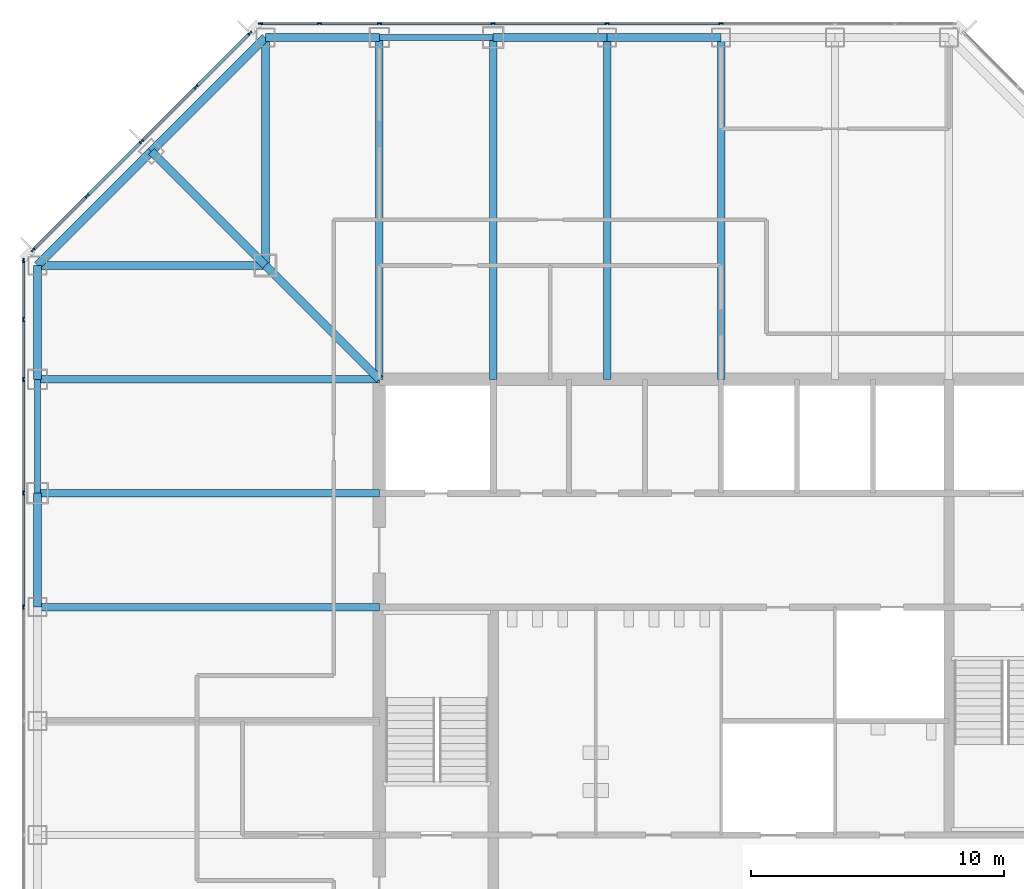
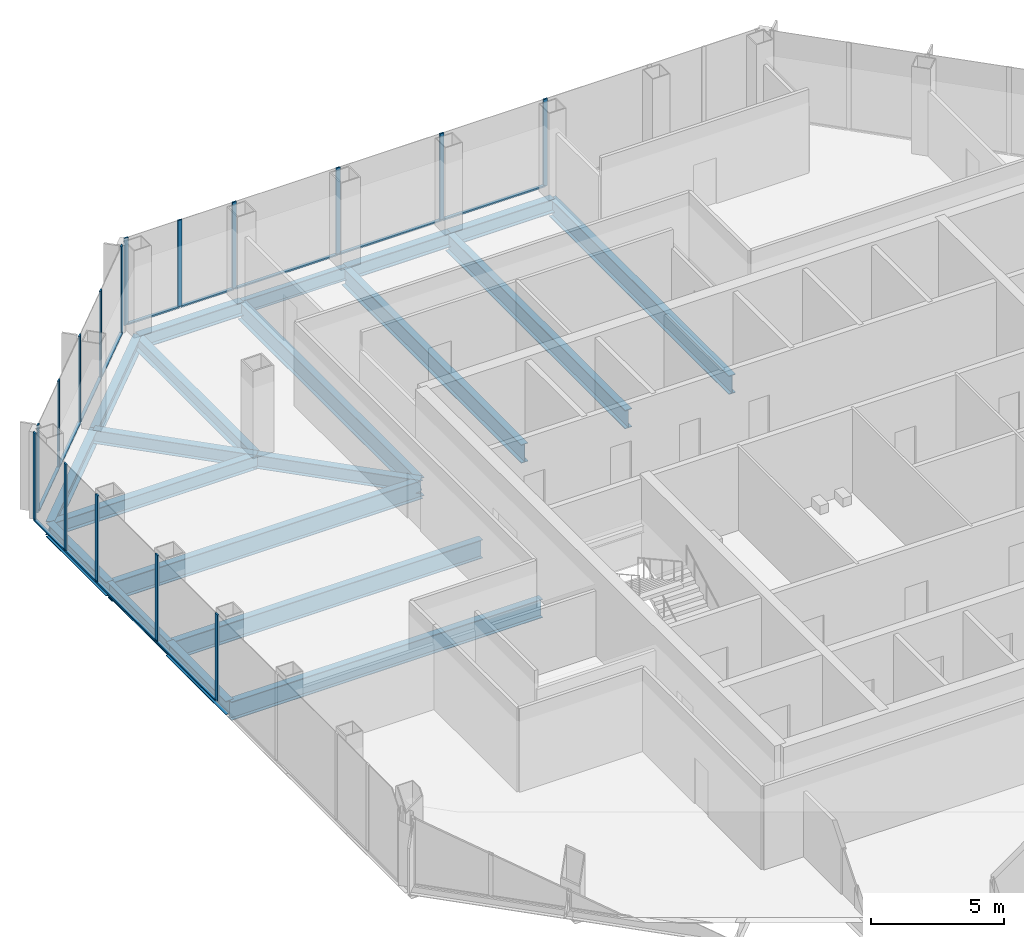
# One storey, part 5 of 12: 29 members, 20 beams, 3 elements without a shape of their own.
"""IFC4 building model written with IfcOpenShell, lengths in metres."""

from ifc_helpers import new_model, si_unit, direction, frame, origin, origin_2d, place, context, subcontext, project, spatial, rectangle, i_section, extrude, material, material_profile, profile_set, type_object, element, aggregate, save


model = new_model("IFC4")

# Units and contexts
model_context = context("Model", 3, precision=1e-05, world=origin(), true_north=direction((0.0, 1.0)))
body_context = subcontext(model_context, "Body", "Model", "MODEL_VIEW")
ifc_project = project(units=[si_unit("LENGTHUNIT", "METRE"), si_unit("AREAUNIT", "SQUARE_METRE"), si_unit("VOLUMEUNIT", "CUBIC_METRE"), si_unit("PLANEANGLEUNIT", "RADIAN"), si_unit("MASSUNIT", "GRAM", prefix="KILO")], contexts=[model_context])

# Site, building, storey
site_placement = place(None, origin())
site = spatial("IfcSite", under=ifc_project, at=site_placement, CompositionType="ELEMENT")
building_placement = place(site_placement, origin())
building = spatial("IfcBuilding", under=site, at=building_placement, Name="Corais Broadcast Tower", CompositionType="ELEMENT")
storey_placement = place(building_placement, frame((0.0, 0.0, 143.60009765625)))
storey = spatial("IfcBuildingStorey", under=building, at=storey_placement, Name="L32", CompositionType="ELEMENT", Elevation=143.60009765625)

# Beams
ifc_material_1 = material(Name="Steel ASTM A572 Grade 50", Category="steel")
ifc_material_profile_1 = material_profile(ifc_material_1, i_section(OverallWidth=0.323974609375, OverallDepth=0.611083984375, WebThickness=0.0126953125, FlangeThickness=0.01904296875, at=origin_2d()), Name="W610x155")
ifc_profile_set_1 = profile_set([ifc_material_profile_1], Name="Steel ASTM A572 Grade 50")
beam_type_1 = type_object("IfcBeamType", Name="Chamfer tie W610x155", PredefinedType="BEAM", material=ifc_profile_set_1)
beam_1_placement = place(storey_placement, frame((4.5, 49.5, -0.465576171875), z_axis=(0.707106781187, -0.707106781187, 0.0), x_axis=(0.707106781187, 0.707106781187, 0.0)))
element("IfcBeam", 1, at=beam_1_placement, inside=storey, type_object=beam_type_1, Name="B5 M/4 to L/5", PredefinedType="BEAM", context=body_context, shape_type="SweptSolid", body=[
    extrude(i_section(OverallWidth=0.323974609375, OverallDepth=0.611083984375, WebThickness=0.0126953125, FlangeThickness=0.01904296875, at=origin_2d()), origin(), (0.0, 0.0, 1.0), 6.364013671875),
])
ifc_material_2 = material(Name="Steel ASTM A572 Grade 50", Category="steel")
ifc_material_profile_2 = material_profile(ifc_material_2, i_section(OverallWidth=0.323974609375, OverallDepth=0.611083984375, WebThickness=0.0126953125, FlangeThickness=0.01904296875, at=origin_2d()), Name="W610x155")
ifc_profile_set_2 = profile_set([ifc_material_profile_2], Name="Steel ASTM A572 Grade 50")
beam_type_2 = type_object("IfcBeamType", Name="Corner diagonal W610x155", PredefinedType="BEAM", material=ifc_profile_set_2)
beam_2_placement = place(storey_placement, frame((9.0, 45.0, -0.465576171875), z_axis=(0.707106781187, -0.707106781187, 0.0), x_axis=(0.707106781187, 0.707106781187, 0.0)))
element("IfcBeam", 2, at=beam_2_placement, inside=storey, type_object=beam_type_2, Name="B6 L/5 to K/6", PredefinedType="BEAM", context=body_context, shape_type="SweptSolid", body=[
    extrude(i_section(OverallWidth=0.323974609375, OverallDepth=0.611083984375, WebThickness=0.0126953125, FlangeThickness=0.01904296875, at=origin_2d()), origin(), (0.0, 0.0, 1.0), 6.364013671875),
])
ifc_material_3 = material(Name="Steel ASTM A572 Grade 50", Category="steel")
ifc_material_profile_3 = material_profile(ifc_material_3, i_section(OverallWidth=0.323974609375, OverallDepth=0.611083984375, WebThickness=0.0126953125, FlangeThickness=0.01904296875, at=origin_2d()), Name="W610x155")
ifc_profile_set_3 = profile_set([ifc_material_profile_3], Name="Steel ASTM A572 Grade 50")
beam_type_3 = type_object("IfcBeamType", Name="Corner girder W610x155", PredefinedType="BEAM", material=ifc_profile_set_3)
for number, where, z_axis, x_axis, name in (
    (3, (0.0, 45.0, -0.465576171875), (1.0, 0.0, 0.0), (0.0, 1.0, 0.0), "B4 L/3 to L/5"),
    (4, (9.0, 54.0, -0.465576171875), (0.0, -1.0, 0.0), (1.0, 0.0, 0.0), "B4 N/5 to L/5"),
):
    element("IfcBeam", number, at=place(storey_placement, frame(where, z_axis=z_axis, x_axis=x_axis)), inside=storey, type_object=beam_type_3, Name=name, PredefinedType="BEAM", context=body_context, shape_type="SweptSolid", body=[
        extrude(i_section(OverallWidth=0.323974609375, OverallDepth=0.611083984375, WebThickness=0.0126953125, FlangeThickness=0.01904296875, at=origin_2d()), origin(), (0.0, 0.0, 1.0), 9.0),
    ])
ifc_material_4 = material(Name="Steel ASTM A572 Grade 50", Category="steel")
ifc_material_profile_4 = material_profile(ifc_material_4, i_section(OverallWidth=0.2939453125, OverallDepth=0.85107421875, WebThickness=0.01611328125, FlangeThickness=0.02685546875, at=origin_2d()), Name="W840x226")
ifc_profile_set_4 = profile_set([ifc_material_profile_4], Name="Steel ASTM A572 Grade 50")
beam_type_4 = type_object("IfcBeamType", Name="Floor beam W840x226", PredefinedType="BEAM", material=ifc_profile_set_4)
for number, where, z_axis, x_axis, name in (
    (5, (0.0, 31.5, -0.585693359375), (1.0, 0.0, 0.0), (0.0, 1.0, 0.0), "B1 H/3 to H/6"),
    (6, (0.0, 36.0, -0.585693359375), (1.0, 0.0, 0.0), (0.0, 1.0, 0.0), "B1 J/3 to J/6"),
    (7, (0.0, 40.5, -0.585693359375), (1.0, 0.0, 0.0), (0.0, 1.0, 0.0), "B1 K/3 to K/6"),
    (8, (13.5, 54.0, -0.585693359375), (0.0, -1.0, 0.0), (1.0, 0.0, 0.0), "B1 N/6 to K/6"),
    (9, (18.0, 54.0, -0.585693359375), (0.0, -1.0, 0.0), (1.0, 0.0, 0.0), "B1 N/7 to K/7"),
    (10, (22.5, 54.0, -0.585693359375), (0.0, -1.0, 0.0), (1.0, 0.0, 0.0), "B1 N/8 to K/8"),
    (11, (27.0, 54.0, -0.585693359375), (0.0, -1.0, 0.0), (1.0, 0.0, 0.0), "B1 N/9 to K/9"),
):
    element("IfcBeam", number, at=place(storey_placement, frame(where, z_axis=z_axis, x_axis=x_axis)), inside=storey, type_object=beam_type_4, Name=name, PredefinedType="BEAM", context=body_context, shape_type="SweptSolid", body=[
        extrude(i_section(OverallWidth=0.2939453125, OverallDepth=0.85107421875, WebThickness=0.01611328125, FlangeThickness=0.02685546875, at=origin_2d()), origin(), (0.0, 0.0, 1.0), 13.5),
    ])

# Curtain wall, members
ifc_material_5 = material(Name="Aluminium and glass", Category="aluminium")
curtain_wall_type = type_object("IfcCurtainWallType", Name="Unitised fritted curtain wall CW2", PredefinedType="NOTDEFINED", material=ifc_material_5)
curtain_wall_1_placement = place(storey_placement, origin())
curtain_wall_1 = element("IfcCurtainWall", 12, at=curtain_wall_1_placement, inside=storey, type_object=curtain_wall_type, Name="CW2 curtain wall L32 2", PredefinedType="NOTDEFINED")
ifc_material_6 = material(Name="Aluminium 6063-T6", Category="aluminium")
ifc_material_profile_5 = material_profile(ifc_material_6, rectangle(XDim=0.06494140625, YDim=0.179931640625, at=origin_2d()), Name="Mullion CW2 65x180")
ifc_profile_set_5 = profile_set([ifc_material_profile_5], Name="Aluminium 6063-T6")
member_type_1 = type_object("IfcMemberType", Name="Mullion CW2 65x180", PredefinedType="MULLION", material=ifc_profile_set_5)
member_1_placement = place(storey_placement, frame((-0.550048828125, 31.5, 0.0), z_axis=(0.0, 0.0, 1.0), x_axis=(-1.0, 0.0, 0.0)))
member_1 = element("IfcMember", 13, at=member_1_placement, type_object=member_type_1, Name="CW2 mullion 5", PredefinedType="MULLION", context=body_context, shape_type="SweptSolid", body=[
    extrude(rectangle(XDim=0.06494140625, YDim=0.179931640625, at=origin_2d()), origin(), (0.0, 0.0, 1.0), 4.0),
])
member_2_placement = place(storey_placement, frame((-0.550048828125, 36.0, 0.0), z_axis=(0.0, 0.0, 1.0), x_axis=(-1.0, 0.0, 0.0)))
member_2 = element("IfcMember", 14, at=member_2_placement, type_object=member_type_1, Name="CW2 mullion 6", PredefinedType="MULLION", context=body_context, shape_type="SweptSolid", body=[
    extrude(rectangle(XDim=0.06494140625, YDim=0.179931640625, at=origin_2d()), origin(), (0.0, 0.0, 1.0), 4.0),
])
member_3_placement = place(storey_placement, frame((-0.550048828125, 40.5, 0.0), z_axis=(0.0, 0.0, 1.0), x_axis=(-1.0, 0.0, 0.0)))
member_3 = element("IfcMember", 15, at=member_3_placement, type_object=member_type_1, Name="CW2 mullion 7", PredefinedType="MULLION", context=body_context, shape_type="SweptSolid", body=[
    extrude(rectangle(XDim=0.06494140625, YDim=0.179931640625, at=origin_2d()), origin(), (0.0, 0.0, 1.0), 4.0),
])
member_4_placement = place(storey_placement, frame((-0.550048828125, 42.864013671875, 0.0), z_axis=(0.0, 0.0, 1.0), x_axis=(-1.0, 0.0, 0.0)))
member_4 = element("IfcMember", 16, at=member_4_placement, type_object=member_type_1, Name="CW2 mullion 8", PredefinedType="MULLION", context=body_context, shape_type="SweptSolid", body=[
    extrude(rectangle(XDim=0.06494140625, YDim=0.179931640625, at=origin_2d()), origin(), (0.0, 0.0, 1.0), 4.0),
])
member_5_placement = place(storey_placement, frame((-0.550048828125, 45.1953125, 0.0), z_axis=(0.0, 0.0, 1.0), x_axis=(-1.0, 0.0, 0.0)))
member_5 = element("IfcMember", 17, at=member_5_placement, type_object=member_type_1, Name="CW2 mullion 9", PredefinedType="MULLION", context=body_context, shape_type="SweptSolid", body=[
    extrude(rectangle(XDim=0.06494140625, YDim=0.179931640625, at=origin_2d()), origin(), (0.0, 0.0, 1.0), 4.0),
])

curtain_wall_2_placement = place(storey_placement, origin())
curtain_wall_2 = element("IfcCurtainWall", 18, at=curtain_wall_2_placement, inside=storey, type_object=curtain_wall_type, Name="CW2 curtain wall L32 3", PredefinedType="NOTDEFINED")
member_6_placement = place(storey_placement, frame((-0.17333984375, 45.6044921875, 0.0), z_axis=(0.0, 0.0, 1.0), x_axis=(-0.707106781187, 0.707106781187, 0.0)))
member_6 = element("IfcMember", 19, at=member_6_placement, type_object=member_type_1, Name="CW2 mullion 1", PredefinedType="MULLION", context=body_context, shape_type="SweptSolid", body=[
    extrude(rectangle(XDim=0.06494140625, YDim=0.179931640625, at=origin_2d()), origin(), (0.0, 0.0, 1.0), 4.0),
])
member_7_placement = place(storey_placement, frame((1.957275390625, 47.735107421875, 0.0), z_axis=(0.0, 0.0, 1.0), x_axis=(-0.707106781187, 0.707106781187, 0.0)))
member_7 = element("IfcMember", 20, at=member_7_placement, type_object=member_type_1, Name="CW2 mullion 2", PredefinedType="MULLION", context=body_context, shape_type="SweptSolid", body=[
    extrude(rectangle(XDim=0.06494140625, YDim=0.179931640625, at=origin_2d()), origin(), (0.0, 0.0, 1.0), 4.0),
])
member_8_placement = place(storey_placement, frame((4.111083984375, 49.888916015625, 0.0), z_axis=(0.0, 0.0, 1.0), x_axis=(-0.707106781187, 0.707106781187, 0.0)))
member_8 = element("IfcMember", 21, at=member_8_placement, type_object=member_type_1, Name="CW2 mullion 3", PredefinedType="MULLION", context=body_context, shape_type="SweptSolid", body=[
    extrude(rectangle(XDim=0.06494140625, YDim=0.179931640625, at=origin_2d()), origin(), (0.0, 0.0, 1.0), 4.0),
])
member_9_placement = place(storey_placement, frame((6.264892578125, 52.042724609375, 0.0), z_axis=(0.0, 0.0, 1.0), x_axis=(-0.707106781187, 0.707106781187, 0.0)))
member_9 = element("IfcMember", 22, at=member_9_placement, type_object=member_type_1, Name="CW2 mullion 4", PredefinedType="MULLION", context=body_context, shape_type="SweptSolid", body=[
    extrude(rectangle(XDim=0.06494140625, YDim=0.179931640625, at=origin_2d()), origin(), (0.0, 0.0, 1.0), 4.0),
])
member_10_placement = place(storey_placement, frame((8.3955078125, 54.17333984375, 0.0), z_axis=(0.0, 0.0, 1.0), x_axis=(-0.707106781187, 0.707106781187, 0.0)))
member_10 = element("IfcMember", 23, at=member_10_placement, type_object=member_type_1, Name="CW2 mullion 5", PredefinedType="MULLION", context=body_context, shape_type="SweptSolid", body=[
    extrude(rectangle(XDim=0.06494140625, YDim=0.179931640625, at=origin_2d()), origin(), (0.0, 0.0, 1.0), 4.0),
])

curtain_wall_3_placement = place(storey_placement, origin())
curtain_wall_3 = element("IfcCurtainWall", 24, at=curtain_wall_3_placement, inside=storey, type_object=curtain_wall_type, Name="CW2 curtain wall L32 4", PredefinedType="NOTDEFINED")
member_11_placement = place(storey_placement, frame((8.8046875, 54.550048828125, 0.0), z_axis=(0.0, 0.0, 1.0), x_axis=(0.0, 1.0, 0.0)))
member_11 = element("IfcMember", 25, at=member_11_placement, type_object=member_type_1, Name="CW2 mullion 1", PredefinedType="MULLION", context=body_context, shape_type="SweptSolid", body=[
    extrude(rectangle(XDim=0.06494140625, YDim=0.179931640625, at=origin_2d()), origin(), (0.0, 0.0, 1.0), 4.0),
])
member_12_placement = place(storey_placement, frame((11.135986328125, 54.550048828125, 0.0), z_axis=(0.0, 0.0, 1.0), x_axis=(0.0, 1.0, 0.0)))
member_12 = element("IfcMember", 26, at=member_12_placement, type_object=member_type_1, Name="CW2 mullion 2", PredefinedType="MULLION", context=body_context, shape_type="SweptSolid", body=[
    extrude(rectangle(XDim=0.06494140625, YDim=0.179931640625, at=origin_2d()), origin(), (0.0, 0.0, 1.0), 4.0),
])
member_13_placement = place(storey_placement, frame((13.5, 54.550048828125, 0.0), z_axis=(0.0, 0.0, 1.0), x_axis=(0.0, 1.0, 0.0)))
member_13 = element("IfcMember", 27, at=member_13_placement, type_object=member_type_1, Name="CW2 mullion 3", PredefinedType="MULLION", context=body_context, shape_type="SweptSolid", body=[
    extrude(rectangle(XDim=0.06494140625, YDim=0.179931640625, at=origin_2d()), origin(), (0.0, 0.0, 1.0), 4.0),
])
member_14_placement = place(storey_placement, frame((18.0, 54.550048828125, 0.0), z_axis=(0.0, 0.0, 1.0), x_axis=(0.0, 1.0, 0.0)))
member_14 = element("IfcMember", 28, at=member_14_placement, type_object=member_type_1, Name="CW2 mullion 4", PredefinedType="MULLION", context=body_context, shape_type="SweptSolid", body=[
    extrude(rectangle(XDim=0.06494140625, YDim=0.179931640625, at=origin_2d()), origin(), (0.0, 0.0, 1.0), 4.0),
])
member_15_placement = place(storey_placement, frame((22.5, 54.550048828125, 0.0), z_axis=(0.0, 0.0, 1.0), x_axis=(0.0, 1.0, 0.0)))
member_15 = element("IfcMember", 29, at=member_15_placement, type_object=member_type_1, Name="CW2 mullion 5", PredefinedType="MULLION", context=body_context, shape_type="SweptSolid", body=[
    extrude(rectangle(XDim=0.06494140625, YDim=0.179931640625, at=origin_2d()), origin(), (0.0, 0.0, 1.0), 4.0),
])
member_16_placement = place(storey_placement, frame((27.0, 54.550048828125, 0.0), z_axis=(0.0, 0.0, 1.0), x_axis=(0.0, 1.0, 0.0)))
member_16 = element("IfcMember", 30, at=member_16_placement, type_object=member_type_1, Name="CW2 mullion 6", PredefinedType="MULLION", context=body_context, shape_type="SweptSolid", body=[
    extrude(rectangle(XDim=0.06494140625, YDim=0.179931640625, at=origin_2d()), origin(), (0.0, 0.0, 1.0), 4.0),
])

# Beams
ifc_material_7 = material(Name="Steel ASTM A572 Grade 50", Category="steel")
ifc_material_profile_6 = material_profile(ifc_material_7, i_section(OverallWidth=0.22900390625, OverallDepth=0.612060546875, WebThickness=0.011962890625, FlangeThickness=0.01953125, at=origin_2d()), Name="W610x125")
ifc_profile_set_6 = profile_set([ifc_material_profile_6], Name="Steel ASTM A572 Grade 50")
beam_type_5 = type_object("IfcBeamType", Name="Pinned spandrel W610x125", PredefinedType="BEAM", material=ifc_profile_set_6)
for number, where, z_axis, x_axis, name in (
    (31, (0.0, 40.5, -0.466064453125), (0.0, -1.0, 0.0), (1.0, 0.0, 0.0), "SB7 K/3 to J/3"),
    (32, (18.0, 54.0, -0.466064453125), (-1.0, 0.0, 0.0), (0.0, -1.0, 0.0), "SB7 N/7 to N/6"),
):
    element("IfcBeam", number, at=place(storey_placement, frame(where, z_axis=z_axis, x_axis=x_axis)), inside=storey, type_object=beam_type_5, Name=name, PredefinedType="BEAM", context=body_context, shape_type="SweptSolid", body=[
        extrude(i_section(OverallWidth=0.22900390625, OverallDepth=0.612060546875, WebThickness=0.011962890625, FlangeThickness=0.01953125, at=origin_2d()), origin(), (0.0, 0.0, 1.0), 4.5),
    ])
ifc_material_8 = material(Name="Steel ASTM A572 Grade 50", Category="steel")
ifc_material_profile_7 = material_profile(ifc_material_8, i_section(OverallWidth=0.3291015625, OverallDepth=0.635009765625, WebThickness=0.017822265625, FlangeThickness=0.031005859375, at=origin_2d()), Name="W610x241")
ifc_profile_set_7 = profile_set([ifc_material_profile_7], Name="Steel ASTM A572 Grade 50")
beam_type_6 = type_object("IfcBeamType", Name="Spandrel W610x241", PredefinedType="BEAM", material=ifc_profile_set_7)
for number, where, z_axis, x_axis, name in (
    (33, (0.0, 36.0, -0.4775390625), (0.0, -1.0, 0.0), (1.0, 0.0, 0.0), "SB1 J/3 to H/3"),
    (34, (0.0, 45.0, -0.4775390625), (0.0, -1.0, 0.0), (1.0, 0.0, 0.0), "SB1 L/3 to K/3"),
    (35, (13.5, 54.0, -0.4775390625), (-1.0, 0.0, 0.0), (0.0, -1.0, 0.0), "SB1 N/6 to N/5"),
    (36, (22.5, 54.0, -0.4775390625), (-1.0, 0.0, 0.0), (0.0, -1.0, 0.0), "SB1 N/8 to N/7"),
    (37, (27.0, 54.0, -0.4775390625), (-1.0, 0.0, 0.0), (0.0, -1.0, 0.0), "SB1 N/9 to N/8"),
):
    element("IfcBeam", number, at=place(storey_placement, frame(where, z_axis=z_axis, x_axis=x_axis)), inside=storey, type_object=beam_type_6, Name=name, PredefinedType="BEAM", context=body_context, shape_type="SweptSolid", body=[
        extrude(i_section(OverallWidth=0.3291015625, OverallDepth=0.635009765625, WebThickness=0.017822265625, FlangeThickness=0.031005859375, at=origin_2d()), origin(), (0.0, 0.0, 1.0), 4.5),
    ])
for number, where, z_axis, x_axis, name in (
    (38, (4.5, 49.5, -0.4775390625), (-0.707106781187, -0.707106781187, 0.0), (0.707106781187, -0.707106781187, 0.0), "SB1 M/4 to L/3"),
    (39, (9.0, 54.0, -0.4775390625), (-0.707106781187, -0.707106781187, 0.0), (0.707106781187, -0.707106781187, 0.0), "SB1 N/5 to M/4"),
):
    element("IfcBeam", number, at=place(storey_placement, frame(where, z_axis=z_axis, x_axis=x_axis)), inside=storey, type_object=beam_type_6, Name=name, PredefinedType="BEAM", context=body_context, shape_type="SweptSolid", body=[
        extrude(i_section(OverallWidth=0.3291015625, OverallDepth=0.635009765625, WebThickness=0.017822265625, FlangeThickness=0.031005859375, at=origin_2d()), origin(), (0.0, 0.0, 1.0), 6.364013671875),
    ])

# Member
ifc_material_9 = material(Name="Aluminium 6063-T6", Category="aluminium")
ifc_material_profile_8 = material_profile(ifc_material_9, rectangle(XDim=0.1298828125, YDim=0.06494140625, at=origin_2d()), Name="Transom CW2 65x130")
ifc_profile_set_8 = profile_set([ifc_material_profile_8], Name="Aluminium 6063-T6")
member_type_2 = type_object("IfcMemberType", Name="Transom CW2 65x130", PredefinedType="USERDEFINED", material=ifc_profile_set_8)
member_17_placement = place(storey_placement, frame((-0.550048828125, 31.532470703125, 0.032470703125), z_axis=(0.0, 1.0, 0.0), x_axis=(-1.0, 0.0, 0.0)))
member_17 = element("IfcMember", 40, at=member_17_placement, type_object=member_type_2, Name="CW2 transom 5.1", ObjectType="TRANSOM", PredefinedType="USERDEFINED", context=body_context, shape_type="SweptSolid", body=[
    extrude(rectangle(XDim=0.1298828125, YDim=0.06494140625, at=origin_2d()), origin(), (0.0, 0.0, 1.0), 4.43505859375),
])

member_18_placement = place(storey_placement, frame((-0.550048828125, 36.032470703125, 0.032470703125), z_axis=(0.0, 1.0, 0.0), x_axis=(-1.0, 0.0, 0.0)))
member_18 = element("IfcMember", 41, at=member_18_placement, type_object=member_type_2, Name="CW2 transom 6.1", ObjectType="TRANSOM", PredefinedType="USERDEFINED", context=body_context, shape_type="SweptSolid", body=[
    extrude(rectangle(XDim=0.1298828125, YDim=0.06494140625, at=origin_2d()), origin(), (0.0, 0.0, 1.0), 4.43505859375),
])

member_19_placement = place(storey_placement, frame((-0.550048828125, 40.532470703125, 0.032470703125), z_axis=(0.0, 1.0, 0.0), x_axis=(-1.0, 0.0, 0.0)))
member_19 = element("IfcMember", 42, at=member_19_placement, type_object=member_type_2, Name="CW2 transom 7.1", ObjectType="TRANSOM", PredefinedType="USERDEFINED", context=body_context, shape_type="SweptSolid", body=[
    extrude(rectangle(XDim=0.1298828125, YDim=0.06494140625, at=origin_2d()), origin(), (0.0, 0.0, 1.0), 2.298828125),
])

member_20_placement = place(storey_placement, frame((-0.550048828125, 42.896484375, 0.032470703125), z_axis=(0.0, 1.0, 0.0), x_axis=(-1.0, 0.0, 0.0)))
member_20 = element("IfcMember", 43, at=member_20_placement, type_object=member_type_2, Name="CW2 transom 8.1", ObjectType="TRANSOM", PredefinedType="USERDEFINED", context=body_context, shape_type="SweptSolid", body=[
    extrude(rectangle(XDim=0.1298828125, YDim=0.06494140625, at=origin_2d()), origin(), (0.0, 0.0, 1.0), 2.266357421875),
])

aggregate(curtain_wall_1, [member_1, member_2, member_3, member_4, member_5, member_17, member_18, member_19, member_20])

member_21_placement = place(storey_placement, frame((-0.150390625, 45.62744140625, 0.032470703125), z_axis=(0.707106781187, 0.707106781187, 0.0), x_axis=(-0.707106781187, 0.707106781187, 0.0)))
member_21 = element("IfcMember", 44, at=member_21_placement, type_object=member_type_2, Name="CW2 transom 1.1", ObjectType="TRANSOM", PredefinedType="USERDEFINED", context=body_context, shape_type="SweptSolid", body=[
    extrude(rectangle(XDim=0.1298828125, YDim=0.06494140625, at=origin_2d()), origin(), (0.0, 0.0, 1.0), 2.9482421875),
])

member_22_placement = place(storey_placement, frame((1.980224609375, 47.758056640625, 0.032470703125), z_axis=(0.707106781187, 0.707106781187, 0.0), x_axis=(-0.707106781187, 0.707106781187, 0.0)))
member_22 = element("IfcMember", 45, at=member_22_placement, type_object=member_type_2, Name="CW2 transom 2.1", ObjectType="TRANSOM", PredefinedType="USERDEFINED", context=body_context, shape_type="SweptSolid", body=[
    extrude(rectangle(XDim=0.1298828125, YDim=0.06494140625, at=origin_2d()), origin(), (0.0, 0.0, 1.0), 2.98095703125),
])

member_23_placement = place(storey_placement, frame((4.134033203125, 49.911865234375, 0.032470703125), z_axis=(0.707106781187, 0.707106781187, 0.0), x_axis=(-0.707106781187, 0.707106781187, 0.0)))
member_23 = element("IfcMember", 46, at=member_23_placement, type_object=member_type_2, Name="CW2 transom 3.1", ObjectType="TRANSOM", PredefinedType="USERDEFINED", context=body_context, shape_type="SweptSolid", body=[
    extrude(rectangle(XDim=0.1298828125, YDim=0.06494140625, at=origin_2d()), origin(), (0.0, 0.0, 1.0), 2.98095703125),
])

member_24_placement = place(storey_placement, frame((6.287841796875, 52.065673828125, 0.032470703125), z_axis=(0.707106781187, 0.707106781187, 0.0), x_axis=(-0.707106781187, 0.707106781187, 0.0)))
member_24 = element("IfcMember", 47, at=member_24_placement, type_object=member_type_2, Name="CW2 transom 4.1", ObjectType="TRANSOM", PredefinedType="USERDEFINED", context=body_context, shape_type="SweptSolid", body=[
    extrude(rectangle(XDim=0.1298828125, YDim=0.06494140625, at=origin_2d()), origin(), (0.0, 0.0, 1.0), 2.9482421875),
])

aggregate(curtain_wall_2, [member_6, member_7, member_8, member_9, member_10, member_21, member_22, member_23, member_24])

member_25_placement = place(storey_placement, frame((8.837158203125, 54.550048828125, 0.032470703125), z_axis=(1.0, 0.0, 0.0), x_axis=(0.0, 1.0, 0.0)))
member_25 = element("IfcMember", 48, at=member_25_placement, type_object=member_type_2, Name="CW2 transom 1.1", ObjectType="TRANSOM", PredefinedType="USERDEFINED", context=body_context, shape_type="SweptSolid", body=[
    extrude(rectangle(XDim=0.1298828125, YDim=0.06494140625, at=origin_2d()), origin(), (0.0, 0.0, 1.0), 2.266357421875),
])

member_26_placement = place(storey_placement, frame((11.168701171875, 54.550048828125, 0.032470703125), z_axis=(1.0, 0.0, 0.0), x_axis=(0.0, 1.0, 0.0)))
member_26 = element("IfcMember", 49, at=member_26_placement, type_object=member_type_2, Name="CW2 transom 2.1", ObjectType="TRANSOM", PredefinedType="USERDEFINED", context=body_context, shape_type="SweptSolid", body=[
    extrude(rectangle(XDim=0.1298828125, YDim=0.06494140625, at=origin_2d()), origin(), (0.0, 0.0, 1.0), 2.298828125),
])

member_27_placement = place(storey_placement, frame((13.532470703125, 54.550048828125, 0.032470703125), z_axis=(1.0, 0.0, 0.0), x_axis=(0.0, 1.0, 0.0)))
member_27 = element("IfcMember", 50, at=member_27_placement, type_object=member_type_2, Name="CW2 transom 3.1", ObjectType="TRANSOM", PredefinedType="USERDEFINED", context=body_context, shape_type="SweptSolid", body=[
    extrude(rectangle(XDim=0.1298828125, YDim=0.06494140625, at=origin_2d()), origin(), (0.0, 0.0, 1.0), 4.43505859375),
])

member_28_placement = place(storey_placement, frame((18.032470703125, 54.550048828125, 0.032470703125), z_axis=(1.0, 0.0, 0.0), x_axis=(0.0, 1.0, 0.0)))
member_28 = element("IfcMember", 51, at=member_28_placement, type_object=member_type_2, Name="CW2 transom 4.1", ObjectType="TRANSOM", PredefinedType="USERDEFINED", context=body_context, shape_type="SweptSolid", body=[
    extrude(rectangle(XDim=0.1298828125, YDim=0.06494140625, at=origin_2d()), origin(), (0.0, 0.0, 1.0), 4.43505859375),
])

member_29_placement = place(storey_placement, frame((22.532470703125, 54.550048828125, 0.032470703125), z_axis=(1.0, 0.0, 0.0), x_axis=(0.0, 1.0, 0.0)))
member_29 = element("IfcMember", 52, at=member_29_placement, type_object=member_type_2, Name="CW2 transom 5.1", ObjectType="TRANSOM", PredefinedType="USERDEFINED", context=body_context, shape_type="SweptSolid", body=[
    extrude(rectangle(XDim=0.1298828125, YDim=0.06494140625, at=origin_2d()), origin(), (0.0, 0.0, 1.0), 4.43505859375),
])

aggregate(curtain_wall_3, [member_11, member_12, member_13, member_14, member_15, member_16, member_25, member_26, member_27, member_28, member_29])

save(model, "model.ifc")
